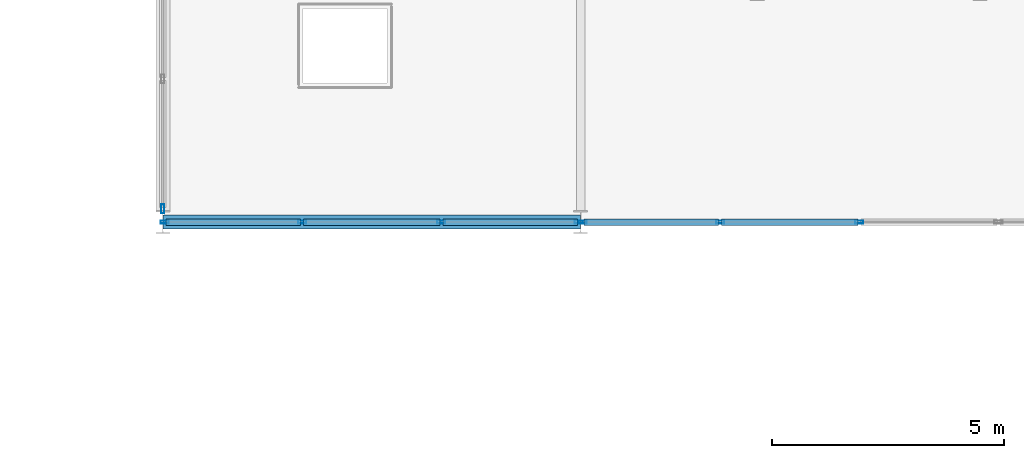
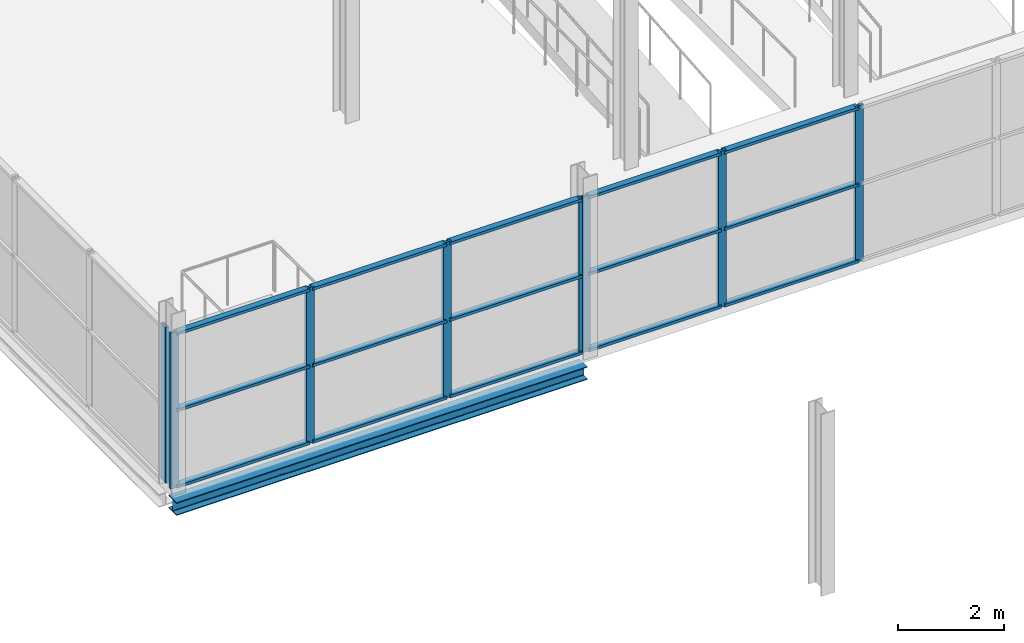
# One storey, part 54 of 132: 23 members, 1 beam, 3 elements without a shape of their own.
"""IFC4 building model written with IfcOpenShell, lengths in metres."""

import ifcopenshell
import ifcopenshell.guid

model = None  # the IFC model being written
_history = None  # IfcOwnerHistory: only IFC2X3 demands one
_inside = {}  # id of a spatial element -> (the spatial element, [elements in it])
_under = {}  # id of a project, library or spatial element -> (it, [spatial elements below it])
_declared = {}  # id of a project -> (the project, [libraries it declares])
_typed = {}  # id of a type object -> (the type object, [elements of that type])
_made_of = {}  # id of a material, layer set ... -> (it, [elements and type objects made of it])


def new_model(schema):
    """Start an empty IFC model of exactly this schema.

    Asked for "IFC4X3", IfcOpenShell would pick the latest addendum, in which some entities
    have other attributes; the version numbers below select the first issue.
    IFC2X3 requires an IfcOwnerHistory on every rooted entity: one is made here for all.
    """
    global model, _history
    if schema == "IFC4X3":
        model = ifcopenshell.file(schema_version=(4, 3, 0, 0))
    else:
        model = ifcopenshell.file(schema=schema)
    _inside.clear()
    _under.clear()
    _declared.clear()
    _typed.clear()
    _made_of.clear()
    _history = None
    if model.schema == "IFC2X3":
        org = make("IfcOrganization", Name="unknown")
        user = make(
            "IfcPersonAndOrganization",
            ThePerson=make("IfcPerson", FamilyName="unknown"),
            TheOrganization=org,
        )
        app = make(
            "IfcApplication",
            ApplicationDeveloper=org,
            Version="unknown",
            ApplicationFullName="unknown",
            ApplicationIdentifier="unknown",
        )
        _history = make(
            "IfcOwnerHistory",
            OwningUser=user,
            OwningApplication=app,
            ChangeAction="ADDED",
            CreationDate=0,
        )
    return model


def make(cls, **values):
    """One entity of the class cls with the attributes given. An attribute that is None is left unset."""
    return model.create_entity(
        cls, **{name: value for name, value in values.items() if value is not None}
    )


def rooted(cls, **values):
    """An entity with a GlobalId (a new one), such as an element, a storey or a relation."""
    return make(cls, GlobalId=ifcopenshell.guid.new(), OwnerHistory=_history, **values)


def si_unit(unit_type, name, prefix=None):
    """IfcSIUnit, for example si_unit("LENGTHUNIT", "METRE", prefix="MILLI")."""
    return make("IfcSIUnit", UnitType=unit_type, Prefix=prefix, Name=name)


def assignment(units):
    """IfcUnitAssignment: the units of a project."""
    return None if units is None else make("IfcUnitAssignment", Units=units)


def point(xyz):
    """IfcCartesianPoint."""
    return None if xyz is None else make("IfcCartesianPoint", Coordinates=xyz)


def direction(xyz):
    """IfcDirection."""
    return None if xyz is None else make("IfcDirection", DirectionRatios=xyz)


def frame(location, z_axis=None, x_axis=None):
    """IfcAxis2Placement3D, a coordinate frame: its origin and axes. An axis left out is left unset."""
    return make(
        "IfcAxis2Placement3D",
        Location=point(location),
        Axis=direction(z_axis),
        RefDirection=direction(x_axis),
    )


def frame_2d(location, x_axis=None):
    """IfcAxis2Placement2D, a coordinate frame in the plane: its origin and x axis."""
    return make(
        "IfcAxis2Placement2D", Location=point(location), RefDirection=direction(x_axis)
    )


def origin():
    """The frame at (0, 0, 0) with its axes left unset."""
    return frame((0.0, 0.0, 0.0))


def origin_2d():
    """The frame at (0, 0) in the plane with its x axis left unset."""
    return frame_2d((0.0, 0.0))


def place(relative_to, where):
    """IfcLocalPlacement: puts the frame where relative to a parent placement (None: the world)."""
    return make(
        "IfcLocalPlacement", PlacementRelTo=relative_to, RelativePlacement=where
    )


def context(
    kind, dimensions, precision=None, world=None, true_north=None, identifier=None
):
    """IfcGeometricRepresentationContext, for example the 3D "Model" context."""
    return make(
        "IfcGeometricRepresentationContext",
        ContextIdentifier=identifier,
        ContextType=kind,
        CoordinateSpaceDimension=dimensions,
        Precision=precision,
        WorldCoordinateSystem=world,
        TrueNorth=true_north,
    )


def subcontext(parent, identifier, kind, view, scale=None):
    """IfcGeometricRepresentationSubContext, for example "Body" below "Model"."""
    return make(
        "IfcGeometricRepresentationSubContext",
        ContextIdentifier=identifier,
        ContextType=kind,
        ParentContext=parent,
        TargetScale=scale,
        TargetView=view,
    )


def project(units=None, contexts=None):
    """IfcProject with its units and contexts."""
    return rooted(
        "IfcProject",
        Name="project",
        RepresentationContexts=contexts,
        UnitsInContext=assignment(units),
    )


def spatial(cls, under=None, at=None, **own):
    """A site, building, storey or space (cls), placed at a placement, below another one or the project."""
    s = rooted(cls, ObjectPlacement=at, **own)
    if under is not None:
        _under.setdefault(under.id(), (under, []))[1].append(s)
    return s


def profile(cls, at=None, kind="AREA", **sizes):
    """A parametric profile (cls). Its sizes go by their IFC names, for example OverallWidth=200.0."""
    return make(cls, ProfileType=kind, Position=at, **sizes)


def hollow_rectangle(**sizes):
    """IfcRectangleHollowProfileDef."""
    return profile("IfcRectangleHollowProfileDef", **sizes)


def i_section(**sizes):
    """IfcIShapeProfileDef."""
    return profile("IfcIShapeProfileDef", **sizes)


def extrude(swept, where, along, depth):
    """IfcExtrudedAreaSolid: the profile swept, set in the frame where, extruded along a direction by depth."""
    return make(
        "IfcExtrudedAreaSolid",
        SweptArea=swept,
        Position=where,
        ExtrudedDirection=direction(along),
        Depth=depth,
    )


def shape(context_of_items, identifier, shape_type, items):
    """IfcShapeRepresentation: the items that make up one representation, for example the "Body"."""
    return make(
        "IfcShapeRepresentation",
        ContextOfItems=context_of_items,
        RepresentationIdentifier=identifier,
        RepresentationType=shape_type,
        Items=items,
    )


def material(Name=None, Category=None):
    """IfcMaterial."""
    return make("IfcMaterial", Name=Name, Category=Category)


def layer(
    of_material, thickness, ventilated=None, Name=None, Category=None, Priority=None
):
    """IfcMaterialLayer: one layer of a wall or slab, of a material (None: an air gap)."""
    return make(
        "IfcMaterialLayer",
        Material=of_material,
        LayerThickness=thickness,
        IsVentilated=ventilated,
        Name=Name,
        Category=Category,
        Priority=Priority,
    )


def layer_set(layers, Name=None):
    """IfcMaterialLayerSet."""
    return make("IfcMaterialLayerSet", MaterialLayers=layers, LayerSetName=Name)


def material_profile(
    of_material, cross_section, Name=None, Category=None, Priority=None
):
    """IfcMaterialProfile: a cross section and its material."""
    return make(
        "IfcMaterialProfile",
        Name=Name,
        Material=of_material,
        Profile=cross_section,
        Priority=Priority,
        Category=Category,
    )


def profile_set(profiles, Name=None, composite=None):
    """IfcMaterialProfileSet."""
    return make(
        "IfcMaterialProfileSet",
        Name=Name,
        MaterialProfiles=profiles,
        CompositeProfile=composite,
    )


def made_of(thing, what):
    """Note that an element or type object is made of a material, layer set ...; save() writes the relation."""
    if what is not None:
        _made_of.setdefault(what.id(), (what, []))[1].append(thing)
    return thing


def type_object(cls, material=None, **own):
    """A type object (cls), such as IfcWallType, which elements share."""
    return made_of(rooted(cls, **own), material)


def element(
    cls,
    number,
    at=None,
    inside=None,
    cuts=None,
    type_object=None,
    material=None,
    context=None,
    identifier="Body",
    shape_type=None,
    held_by="IfcProductDefinitionShape",
    body=None,
    shapes=None,
    **own,
):
    """One element of the class cls, such as IfcWall. Its Tag is "e" and its number.

    at: its placement. inside: the storey or other place that contains it. cuts: it is an
    opening in that element (IfcRelVoidsElement). A single representation is given by context,
    identifier, shape_type and body (its items); several are given by shapes. held_by: the class
    of the entity that holds the representations. save() writes the other relations.
    """
    e = rooted(cls, Tag="e%d" % number, ObjectPlacement=at, **own)
    if body is not None:
        shapes = [shape(context, identifier, shape_type, body)]
    if shapes is not None:
        e.Representation = make(held_by, Representations=shapes)
    if inside is not None:
        _inside.setdefault(inside.id(), (inside, []))[1].append(e)
    if cuts is not None:
        rooted(
            "IfcRelVoidsElement", RelatingBuildingElement=cuts, RelatedOpeningElement=e
        )
    if type_object is not None:
        _typed.setdefault(type_object.id(), (type_object, []))[1].append(e)
    return made_of(e, material)


def aggregate(whole, parts):
    """IfcRelAggregates: a whole, such as a stair, and the parts it consists of."""
    return rooted("IfcRelAggregates", RelatingObject=whole, RelatedObjects=parts)


def save(model, path):
    """Write the relations noted so far, then the file.

    IfcRelAggregates (storeys below a building ...), IfcRelContainedInSpatialStructure (elements
    in a storey), IfcRelDefinesByType, IfcRelAssociatesMaterial and IfcRelDeclares: one each for
    every whole, place, type object, material and project.
    """
    for whole, parts in _under.values():
        aggregate(whole, parts)
    for where, things in _inside.values():
        rooted(
            "IfcRelContainedInSpatialStructure",
            RelatedElements=things,
            RelatingStructure=where,
        )
    for kind, things in _typed.values():
        rooted("IfcRelDefinesByType", RelatedObjects=things, RelatingType=kind)
    for what, things in _made_of.values():
        rooted("IfcRelAssociatesMaterial", RelatedObjects=things, RelatingMaterial=what)
    for by, libraries in _declared.values():
        rooted("IfcRelDeclares", RelatingContext=by, RelatedDefinitions=libraries)
    model.write(path)


model = new_model("IFC4")

# Units and contexts
model_context = context("Model", 3, precision=1e-05, world=origin(), true_north=direction((0.0, 1.0)))
body_context = subcontext(model_context, "Body", "Model", "MODEL_VIEW")
ifc_project = project(units=[si_unit("LENGTHUNIT", "METRE"), si_unit("AREAUNIT", "SQUARE_METRE"), si_unit("VOLUMEUNIT", "CUBIC_METRE"), si_unit("PLANEANGLEUNIT", "RADIAN"), si_unit("MASSUNIT", "GRAM", prefix="KILO")], contexts=[model_context])

# Site, building, storey
site_placement = place(None, origin())
site = spatial("IfcSite", under=ifc_project, at=site_placement, CompositionType="ELEMENT")
building_placement = place(site_placement, origin())
building = spatial("IfcBuilding", under=site, at=building_placement, Name="Deido Ridge Mobility Hub", CompositionType="ELEMENT")
storey_placement = place(building_placement, frame((0.0, 0.0, 8.39990234375)))
storey = spatial("IfcBuildingStorey", under=building, at=storey_placement, Name="L02", CompositionType="ELEMENT", Elevation=8.39990234375)

# Curtain wall, members
ifc_material_1 = material(Name="Anodised aluminium EN AW-6063 T6", Category="aluminium")
ifc_layer_1 = layer(ifc_material_1, 0.16796875, Name="Anodised aluminium EN AW-6063 T6")
ifc_layer_set_1 = layer_set([ifc_layer_1], Name="Anodised aluminium EN AW-6063 T6")
curtain_wall_type_1 = type_object("IfcCurtainWallType", Name="CW-GS-4", PredefinedType="USERDEFINED", material=ifc_layer_set_1)
curtain_wall_1_placement = place(storey_placement, origin())
curtain_wall_1 = element("IfcCurtainWall", 1, at=curtain_wall_1_placement, inside=storey, type_object=curtain_wall_type_1, Name="Unitised curtain wall GS4", ObjectType="GLAZED SCREEN", PredefinedType="USERDEFINED")
ifc_material_profile_1 = material_profile(ifc_material_1, hollow_rectangle(XDim=0.06494140625, YDim=0.175048828125, WallThickness=0.00390625, at=origin_2d()), Name="RHS 65x175x4")
ifc_profile_set_1 = profile_set([ifc_material_profile_1], Name="Anodised aluminium EN AW-6063 T6")
member_type_1 = type_object("IfcMemberType", Name="MEM-MUL-65X175", PredefinedType="MULLION", material=ifc_profile_set_1)
member_1_placement = place(storey_placement, frame((72.039794921875, 45.0, 0.0), z_axis=(0.0, 0.0, 1.0), x_axis=(0.0, 1.0, 0.0)))
member_1 = element("IfcMember", 2, at=member_1_placement, type_object=member_type_1, Name="GS4 mullion 1", PredefinedType="MULLION", context=body_context, shape_type="SweptSolid", body=[
    extrude(hollow_rectangle(XDim=0.06494140625, YDim=0.175048828125, WallThickness=0.00390625, at=origin_2d()), origin(), (0.0, 0.0, 1.0), 3.60009765625),
])
member_2_placement = place(storey_placement, frame((75.00244140625, 45.0, 0.0), z_axis=(0.0, 0.0, 1.0), x_axis=(0.0, 1.0, 0.0)))
member_2 = element("IfcMember", 3, at=member_2_placement, type_object=member_type_1, Name="GS4 mullion 2", PredefinedType="MULLION", context=body_context, shape_type="SweptSolid", body=[
    extrude(hollow_rectangle(XDim=0.06494140625, YDim=0.175048828125, WallThickness=0.00390625, at=origin_2d()), origin(), (0.0, 0.0, 1.0), 3.60009765625),
])
member_3_placement = place(storey_placement, frame((77.99755859375, 45.0, 0.0), z_axis=(0.0, 0.0, 1.0), x_axis=(0.0, 1.0, 0.0)))
member_3 = element("IfcMember", 4, at=member_3_placement, type_object=member_type_1, Name="GS4 mullion 3", PredefinedType="MULLION", context=body_context, shape_type="SweptSolid", body=[
    extrude(hollow_rectangle(XDim=0.06494140625, YDim=0.175048828125, WallThickness=0.00390625, at=origin_2d()), origin(), (0.0, 0.0, 1.0), 3.60009765625),
])
member_4_placement = place(storey_placement, frame((80.960205078125, 45.0, 0.0), z_axis=(0.0, 0.0, 1.0), x_axis=(0.0, 1.0, 0.0)))
member_4 = element("IfcMember", 5, at=member_4_placement, type_object=member_type_1, Name="GS4 mullion 4", PredefinedType="MULLION", context=body_context, shape_type="SweptSolid", body=[
    extrude(hollow_rectangle(XDim=0.06494140625, YDim=0.175048828125, WallThickness=0.00390625, at=origin_2d()), origin(), (0.0, 0.0, 1.0), 3.60009765625),
])

curtain_wall_2_placement = place(storey_placement, origin())
curtain_wall_2 = element("IfcCurtainWall", 6, at=curtain_wall_2_placement, inside=storey, type_object=curtain_wall_type_1, Name="Unitised curtain wall GS4", ObjectType="GLAZED SCREEN", PredefinedType="USERDEFINED")
member_5_placement = place(storey_placement, frame((81.039794921875, 45.0, 0.0), z_axis=(0.0, 0.0, 1.0), x_axis=(0.0, 1.0, 0.0)))
member_5 = element("IfcMember", 7, at=member_5_placement, type_object=member_type_1, Name="GS4 mullion 1", PredefinedType="MULLION", context=body_context, shape_type="SweptSolid", body=[
    extrude(hollow_rectangle(XDim=0.06494140625, YDim=0.175048828125, WallThickness=0.00390625, at=origin_2d()), origin(), (0.0, 0.0, 1.0), 3.60009765625),
])
member_6_placement = place(storey_placement, frame((84.0048828125, 45.0, 0.0), z_axis=(0.0, 0.0, 1.0), x_axis=(0.0, 1.0, 0.0)))
member_6 = element("IfcMember", 8, at=member_6_placement, type_object=member_type_1, Name="GS4 mullion 2", PredefinedType="MULLION", context=body_context, shape_type="SweptSolid", body=[
    extrude(hollow_rectangle(XDim=0.06494140625, YDim=0.175048828125, WallThickness=0.00390625, at=origin_2d()), origin(), (0.0, 0.0, 1.0), 3.60009765625),
])
member_7_placement = place(storey_placement, frame((87.00244140625, 45.0, 0.0), z_axis=(0.0, 0.0, 1.0), x_axis=(0.0, 1.0, 0.0)))
member_7 = element("IfcMember", 9, at=member_7_placement, type_object=member_type_1, Name="GS4 mullion 3", PredefinedType="MULLION", context=body_context, shape_type="SweptSolid", body=[
    extrude(hollow_rectangle(XDim=0.06494140625, YDim=0.175048828125, WallThickness=0.00390625, at=origin_2d()), origin(), (0.0, 0.0, 1.0), 3.60009765625),
])

# Curtain wall, member
ifc_layer_2 = layer(ifc_material_1, 0.195068359375, Name="Anodised aluminium EN AW-6063 T6")
ifc_layer_set_2 = layer_set([ifc_layer_2], Name="Anodised aluminium EN AW-6063 T6")
curtain_wall_type_2 = type_object("IfcCurtainWallType", Name="CW-UF-3", PredefinedType="USERDEFINED", material=ifc_layer_set_2)
curtain_wall_3_placement = place(storey_placement, origin())
curtain_wall_3 = element("IfcCurtainWall", 10, at=curtain_wall_3_placement, inside=storey, type_object=curtain_wall_type_2, Name="Unitised curtain wall CW3", ObjectType="UNITISED FACADE", PredefinedType="USERDEFINED")
ifc_material_profile_2 = material_profile(ifc_material_1, hollow_rectangle(XDim=0.070068359375, YDim=0.18994140625, WallThickness=0.00390625, at=origin_2d()), Name="RHS 70x190x4")
ifc_profile_set_2 = profile_set([ifc_material_profile_2], Name="Anodised aluminium EN AW-6063 T6")
member_type_2 = type_object("IfcMemberType", Name="MEM-MUL-70X190", PredefinedType="MULLION", material=ifc_profile_set_2)
member_8_placement = place(storey_placement, frame((72.0, 45.284912109375, 0.0), z_axis=(0.0, 0.0, 1.0), x_axis=(-1.0, 0.0, 0.0)))
member_8 = element("IfcMember", 11, at=member_8_placement, type_object=member_type_2, Name="CW3 mullion 1", PredefinedType="MULLION", context=body_context, shape_type="SweptSolid", body=[
    extrude(hollow_rectangle(XDim=0.070068359375, YDim=0.18994140625, WallThickness=0.00390625, at=origin_2d()), origin(), (0.0, 0.0, 1.0), 3.60009765625),
])
aggregate(curtain_wall_3, [member_8])

# Member
ifc_material_profile_3 = material_profile(ifc_material_1, hollow_rectangle(XDim=0.135009765625, YDim=0.06494140625, WallThickness=0.00390625, at=origin_2d()), Name="RHS 135x65x4")
ifc_profile_set_3 = profile_set([ifc_material_profile_3], Name="Anodised aluminium EN AW-6063 T6")
member_type_3 = type_object("IfcMemberType", Name="MEM-TRN-135X65", PredefinedType="USERDEFINED", material=ifc_profile_set_3)
member_9_placement = place(storey_placement, frame((72.072265625, 45.0, 0.03271484375), z_axis=(1.0, 0.0, 0.0), x_axis=(0.0, 1.0, 0.0)))
member_9 = element("IfcMember", 12, at=member_9_placement, type_object=member_type_3, Name="GS4 transom 1.1", ObjectType="TRANSOM", PredefinedType="USERDEFINED", context=body_context, shape_type="SweptSolid", body=[
    extrude(hollow_rectangle(XDim=0.135009765625, YDim=0.06494140625, WallThickness=0.00390625, at=origin_2d()), origin(), (0.0, 0.0, 1.0), 2.897705078125),
])

member_10_placement = place(storey_placement, frame((72.072265625, 45.0, 1.800048828125), z_axis=(1.0, 0.0, 0.0), x_axis=(0.0, 1.0, 0.0)))
member_10 = element("IfcMember", 13, at=member_10_placement, type_object=member_type_3, Name="GS4 transom 1.2", ObjectType="TRANSOM", PredefinedType="USERDEFINED", context=body_context, shape_type="SweptSolid", body=[
    extrude(hollow_rectangle(XDim=0.135009765625, YDim=0.06494140625, WallThickness=0.00390625, at=origin_2d()), origin(), (0.0, 0.0, 1.0), 2.897705078125),
])

member_11_placement = place(storey_placement, frame((72.072265625, 45.0, 3.567626953125), z_axis=(1.0, 0.0, 0.0), x_axis=(0.0, 1.0, 0.0)))
member_11 = element("IfcMember", 14, at=member_11_placement, type_object=member_type_3, Name="GS4 transom 1.3", ObjectType="TRANSOM", PredefinedType="USERDEFINED", context=body_context, shape_type="SweptSolid", body=[
    extrude(hollow_rectangle(XDim=0.135009765625, YDim=0.06494140625, WallThickness=0.00390625, at=origin_2d()), origin(), (0.0, 0.0, 1.0), 2.897705078125),
])

member_12_placement = place(storey_placement, frame((75.034912109375, 45.0, 0.03271484375), z_axis=(1.0, 0.0, 0.0), x_axis=(0.0, 1.0, 0.0)))
member_12 = element("IfcMember", 15, at=member_12_placement, type_object=member_type_3, Name="GS4 transom 2.1", ObjectType="TRANSOM", PredefinedType="USERDEFINED", context=body_context, shape_type="SweptSolid", body=[
    extrude(hollow_rectangle(XDim=0.135009765625, YDim=0.06494140625, WallThickness=0.00390625, at=origin_2d()), origin(), (0.0, 0.0, 1.0), 2.93017578125),
])

member_13_placement = place(storey_placement, frame((75.034912109375, 45.0, 1.800048828125), z_axis=(1.0, 0.0, 0.0), x_axis=(0.0, 1.0, 0.0)))
member_13 = element("IfcMember", 16, at=member_13_placement, type_object=member_type_3, Name="GS4 transom 2.2", ObjectType="TRANSOM", PredefinedType="USERDEFINED", context=body_context, shape_type="SweptSolid", body=[
    extrude(hollow_rectangle(XDim=0.135009765625, YDim=0.06494140625, WallThickness=0.00390625, at=origin_2d()), origin(), (0.0, 0.0, 1.0), 2.93017578125),
])

member_14_placement = place(storey_placement, frame((75.034912109375, 45.0, 3.567626953125), z_axis=(1.0, 0.0, 0.0), x_axis=(0.0, 1.0, 0.0)))
member_14 = element("IfcMember", 17, at=member_14_placement, type_object=member_type_3, Name="GS4 transom 2.3", ObjectType="TRANSOM", PredefinedType="USERDEFINED", context=body_context, shape_type="SweptSolid", body=[
    extrude(hollow_rectangle(XDim=0.135009765625, YDim=0.06494140625, WallThickness=0.00390625, at=origin_2d()), origin(), (0.0, 0.0, 1.0), 2.93017578125),
])

member_15_placement = place(storey_placement, frame((78.030029296875, 45.0, 0.03271484375), z_axis=(1.0, 0.0, 0.0), x_axis=(0.0, 1.0, 0.0)))
member_15 = element("IfcMember", 18, at=member_15_placement, type_object=member_type_3, Name="GS4 transom 3.1", ObjectType="TRANSOM", PredefinedType="USERDEFINED", context=body_context, shape_type="SweptSolid", body=[
    extrude(hollow_rectangle(XDim=0.135009765625, YDim=0.06494140625, WallThickness=0.00390625, at=origin_2d()), origin(), (0.0, 0.0, 1.0), 2.897705078125),
])

member_16_placement = place(storey_placement, frame((78.030029296875, 45.0, 1.800048828125), z_axis=(1.0, 0.0, 0.0), x_axis=(0.0, 1.0, 0.0)))
member_16 = element("IfcMember", 19, at=member_16_placement, type_object=member_type_3, Name="GS4 transom 3.2", ObjectType="TRANSOM", PredefinedType="USERDEFINED", context=body_context, shape_type="SweptSolid", body=[
    extrude(hollow_rectangle(XDim=0.135009765625, YDim=0.06494140625, WallThickness=0.00390625, at=origin_2d()), origin(), (0.0, 0.0, 1.0), 2.897705078125),
])

member_17_placement = place(storey_placement, frame((78.030029296875, 45.0, 3.567626953125), z_axis=(1.0, 0.0, 0.0), x_axis=(0.0, 1.0, 0.0)))
member_17 = element("IfcMember", 20, at=member_17_placement, type_object=member_type_3, Name="GS4 transom 3.3", ObjectType="TRANSOM", PredefinedType="USERDEFINED", context=body_context, shape_type="SweptSolid", body=[
    extrude(hollow_rectangle(XDim=0.135009765625, YDim=0.06494140625, WallThickness=0.00390625, at=origin_2d()), origin(), (0.0, 0.0, 1.0), 2.897705078125),
])

aggregate(curtain_wall_1, [member_1, member_2, member_3, member_4, member_9, member_10, member_11, member_12, member_13, member_14, member_15, member_16, member_17])

member_18_placement = place(storey_placement, frame((81.072265625, 45.0, 0.03271484375), z_axis=(1.0, 0.0, 0.0), x_axis=(0.0, 1.0, 0.0)))
member_18 = element("IfcMember", 21, at=member_18_placement, type_object=member_type_3, Name="GS4 transom 1.1", ObjectType="TRANSOM", PredefinedType="USERDEFINED", context=body_context, shape_type="SweptSolid", body=[
    extrude(hollow_rectangle(XDim=0.135009765625, YDim=0.06494140625, WallThickness=0.00390625, at=origin_2d()), origin(), (0.0, 0.0, 1.0), 2.900146484375),
])

member_19_placement = place(storey_placement, frame((81.072265625, 45.0, 1.800048828125), z_axis=(1.0, 0.0, 0.0), x_axis=(0.0, 1.0, 0.0)))
member_19 = element("IfcMember", 22, at=member_19_placement, type_object=member_type_3, Name="GS4 transom 1.2", ObjectType="TRANSOM", PredefinedType="USERDEFINED", context=body_context, shape_type="SweptSolid", body=[
    extrude(hollow_rectangle(XDim=0.135009765625, YDim=0.06494140625, WallThickness=0.00390625, at=origin_2d()), origin(), (0.0, 0.0, 1.0), 2.900146484375),
])

member_20_placement = place(storey_placement, frame((81.072265625, 45.0, 3.567626953125), z_axis=(1.0, 0.0, 0.0), x_axis=(0.0, 1.0, 0.0)))
member_20 = element("IfcMember", 23, at=member_20_placement, type_object=member_type_3, Name="GS4 transom 1.3", ObjectType="TRANSOM", PredefinedType="USERDEFINED", context=body_context, shape_type="SweptSolid", body=[
    extrude(hollow_rectangle(XDim=0.135009765625, YDim=0.06494140625, WallThickness=0.00390625, at=origin_2d()), origin(), (0.0, 0.0, 1.0), 2.900146484375),
])

member_21_placement = place(storey_placement, frame((84.037353515625, 45.0, 0.03271484375), z_axis=(1.0, 0.0, 0.0), x_axis=(0.0, 1.0, 0.0)))
member_21 = element("IfcMember", 24, at=member_21_placement, type_object=member_type_3, Name="GS4 transom 2.1", ObjectType="TRANSOM", PredefinedType="USERDEFINED", context=body_context, shape_type="SweptSolid", body=[
    extrude(hollow_rectangle(XDim=0.135009765625, YDim=0.06494140625, WallThickness=0.00390625, at=origin_2d()), origin(), (0.0, 0.0, 1.0), 2.9326171875),
])

member_22_placement = place(storey_placement, frame((84.037353515625, 45.0, 1.800048828125), z_axis=(1.0, 0.0, 0.0), x_axis=(0.0, 1.0, 0.0)))
member_22 = element("IfcMember", 25, at=member_22_placement, type_object=member_type_3, Name="GS4 transom 2.2", ObjectType="TRANSOM", PredefinedType="USERDEFINED", context=body_context, shape_type="SweptSolid", body=[
    extrude(hollow_rectangle(XDim=0.135009765625, YDim=0.06494140625, WallThickness=0.00390625, at=origin_2d()), origin(), (0.0, 0.0, 1.0), 2.9326171875),
])

member_23_placement = place(storey_placement, frame((84.037353515625, 45.0, 3.567626953125), z_axis=(1.0, 0.0, 0.0), x_axis=(0.0, 1.0, 0.0)))
member_23 = element("IfcMember", 26, at=member_23_placement, type_object=member_type_3, Name="GS4 transom 2.3", ObjectType="TRANSOM", PredefinedType="USERDEFINED", context=body_context, shape_type="SweptSolid", body=[
    extrude(hollow_rectangle(XDim=0.135009765625, YDim=0.06494140625, WallThickness=0.00390625, at=origin_2d()), origin(), (0.0, 0.0, 1.0), 2.9326171875),
])

aggregate(curtain_wall_2, [member_5, member_6, member_7, member_18, member_19, member_20, member_21, member_22, member_23])

# Beam
ifc_material_2 = material(Name="Steel S355J2 EN 10025-2", Category="steel")
ifc_material_profile_4 = material_profile(ifc_material_2, i_section(OverallWidth=0.300048828125, OverallDepth=0.300048828125, WebThickness=0.010986328125, FlangeThickness=0.01904296875, FilletRadius=0.027099609375, at=origin_2d()), Name="HEB 300")
ifc_profile_set_4 = profile_set([ifc_material_profile_4], Name="Steel S355J2 EN 10025-2")
beam_type = type_object("IfcBeamType", Name="SPD-HEB300", PredefinedType="SPANDREL", material=ifc_profile_set_4)
beam_placement = place(storey_placement, frame((72.007080078125, 45.0, -0.40478515625), z_axis=(1.0, 0.0, 0.0), x_axis=(0.0, 1.0, 0.0)))
element("IfcBeam", 27, at=beam_placement, inside=storey, type_object=beam_type, Name="Floor beam SP1", PredefinedType="SPANDREL", context=body_context, shape_type="SweptSolid", body=[
    extrude(i_section(OverallWidth=0.300048828125, OverallDepth=0.300048828125, WebThickness=0.010986328125, FlangeThickness=0.01904296875, FilletRadius=0.027099609375, at=origin_2d()), origin(), (0.0, 0.0, 1.0), 8.98583984375),
])

save(model, "model.ifc")
